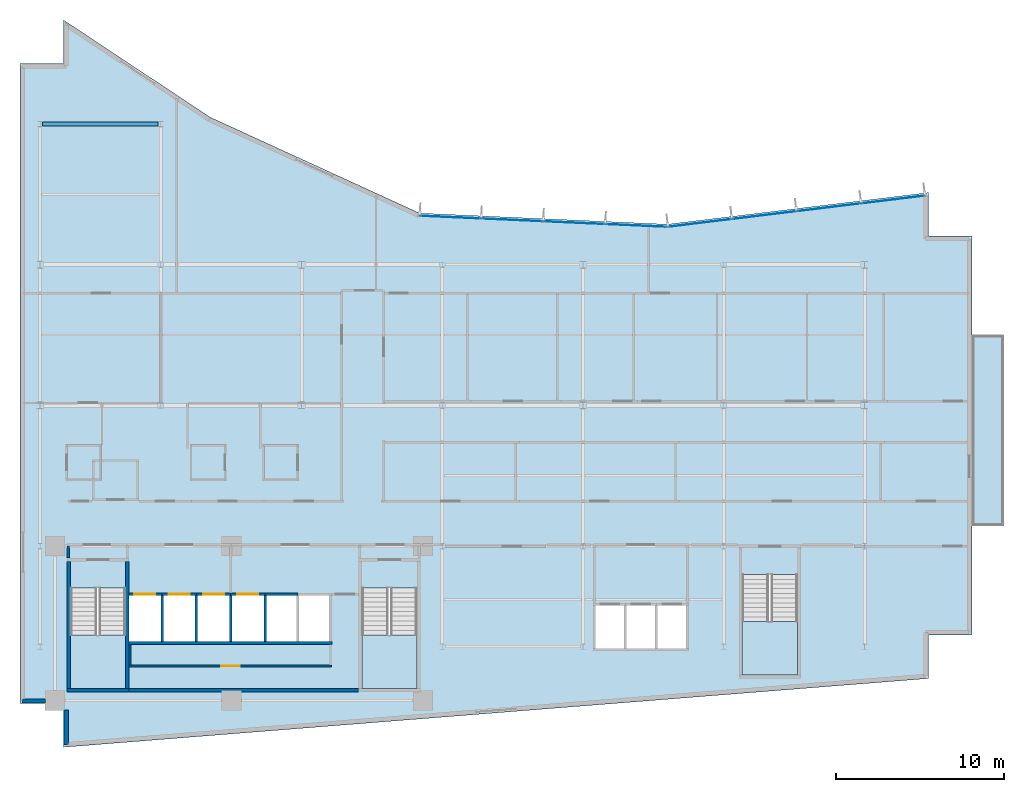
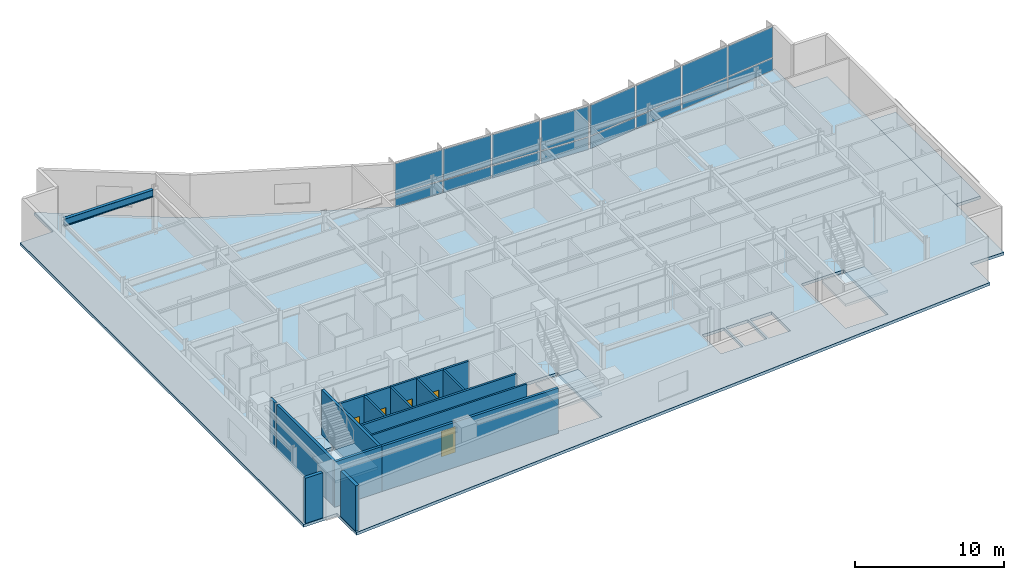
# One storey, part 9 of 18: 19 walls, 16 plates, 5 doors, 5 slabs, 1 beam, 5 openings, 5 elements without a shape of their own.
"""IFC4 building model written with IfcOpenShell, lengths in metres."""

from ifc_helpers import new_model, si_unit, direction, frame, frame_2d, origin, origin_2d, place, context, subcontext, project, spatial, polyline, rectangle, i_section, outline, extrude, material, layer, layer_set, material_profile, profile_set, type_object, element, fill, aggregate, save


model = new_model("IFC4")

# Units and contexts
model_context = context("Model", 3, precision=1e-05, world=origin(), true_north=direction((0.0, 1.0)))
body_context = subcontext(model_context, "Body", "Model", "MODEL_VIEW")
ifc_project = project(units=[si_unit("LENGTHUNIT", "METRE"), si_unit("AREAUNIT", "SQUARE_METRE"), si_unit("VOLUMEUNIT", "CUBIC_METRE"), si_unit("PLANEANGLEUNIT", "RADIAN"), si_unit("MASSUNIT", "GRAM", prefix="KILO")], contexts=[model_context])

# Site, building, storey
site_placement = place(None, origin())
site = spatial("IfcSite", under=ifc_project, at=site_placement, CompositionType="ELEMENT")
building_placement = place(site_placement, origin())
building = spatial("IfcBuilding", under=site, at=building_placement, Name="Varnakote Quay Hospital", CompositionType="ELEMENT")
storey_placement = place(building_placement, frame((0.0, 0.0, 154.699951171875)))
storey = spatial("IfcBuildingStorey", under=building, at=storey_placement, Name="L38", CompositionType="ELEMENT", Elevation=154.699951171875)

# Beam
ifc_material_1 = material(Name="Structural steel AS/NZS 3679.1 Grade 350 L0 (fy 340 MPa)", Category="steel")
ifc_material_profile = material_profile(ifc_material_1, i_section(OverallWidth=0.22802734375, OverallDepth=0.60205078125, WebThickness=0.010498046875, FlangeThickness=0.014892578125, FilletRadius=0.013916015625, at=origin_2d()), Name="610UB101")
ifc_profile_set = profile_set([ifc_material_profile], Name="Structural steel AS/NZS 3679.1 Grade 350 L0 (fy 340 MPa)")
beam_type = type_object("IfcBeamType", Name="BM-STL-610UB101", PredefinedType="BEAM", material=ifc_profile_set)
beam_placement = place(storey_placement, frame((1.353515625, 37.199951171875, 3.408935546875), z_axis=(1.0, 0.0, 0.0), x_axis=(0.0, 1.0, 0.0)))
element("IfcBeam", 1, at=beam_placement, inside=storey, type_object=beam_type, Name="L38 Primary Floor Beam", PredefinedType="BEAM", context=body_context, shape_type="SweptSolid", body=[
    extrude(i_section(OverallWidth=0.22802734375, OverallDepth=0.60205078125, WebThickness=0.010498046875, FlangeThickness=0.014892578125, FilletRadius=0.013916015625, at=origin_2d()), origin(), (0.0, 0.0, 1.0), 6.89306640625),
])

# Curtain wall, plates
ifc_material_2 = material(Name="Anodised aluminium 6063-T6 Bronze", Category="aluminium")
ifc_layer_1 = layer(ifc_material_2, 0.205078125)
ifc_layer_set_1 = layer_set([ifc_layer_1], Name="Anodised aluminium 6063-T6 Bronze")
curtain_wall_type = type_object("IfcCurtainWallType", Name="CW-SYS-3", PredefinedType="NOTDEFINED", material=ifc_layer_set_1)
curtain_wall_1_placement = place(storey_placement, origin())
curtain_wall_1 = element("IfcCurtainWall", 2, at=curtain_wall_1_placement, inside=storey, type_object=curtain_wall_type, Name="L38 Unitised Bronze Curtain Wall 1", PredefinedType="NOTDEFINED")
ifc_material_3 = material(Name="Double-glazed low-E solar glass", Category="glass")
ifc_layer_2 = layer(ifc_material_3, 0.028076171875)
ifc_layer_set_2 = layer_set([ifc_layer_2], Name="Double-glazed low-E solar glass")
plate_type = type_object("IfcPlateType", Name="CW-PNL-GLZ-28", PredefinedType="CURTAIN_PANEL", material=ifc_layer_set_2)
plate_1_placement = place(storey_placement, frame((52.09521484375, 32.68359375, 0.0751953125), z_axis=(0.0, 0.0, 1.0), x_axis=(-0.992734295067, -0.12032713492, 0.0)))
plate_1 = element("IfcPlate", 3, at=plate_1_placement, type_object=plate_type, Name="-3-L38-1 panel 1.1", PredefinedType="CURTAIN_PANEL", context=body_context, shape_type="SweptSolid", body=[
    extrude(rectangle(XDim=3.76806640625, YDim=0.028076171875, at=origin_2d()), origin(), (0.0, 0.0, 1.0), 0.987548828125),
])
plate_2_placement = place(storey_placement, frame((52.09521484375, 32.68359375, 1.137451171875), z_axis=(0.0, 0.0, 1.0), x_axis=(-0.992734295067, -0.12032713492, 0.0)))
plate_2 = element("IfcPlate", 4, at=plate_2_placement, type_object=plate_type, Name="-3-L38-1 panel 1.2", PredefinedType="CURTAIN_PANEL", context=body_context, shape_type="SweptSolid", body=[
    extrude(rectangle(XDim=3.76806640625, YDim=0.028076171875, at=origin_2d()), origin(), (0.0, 0.0, 1.0), 2.49755859375),
])
plate_3_placement = place(storey_placement, frame((48.26123046875, 32.218994140625, 0.0751953125), z_axis=(0.0, 0.0, 1.0), x_axis=(-0.992734295067, -0.12032713492, 0.0)))
plate_3 = element("IfcPlate", 5, at=plate_3_placement, type_object=plate_type, Name="-3-L38-1 panel 2.1", PredefinedType="CURTAIN_PANEL", context=body_context, shape_type="SweptSolid", body=[
    extrude(rectangle(XDim=3.8056640625, YDim=0.028076171875, at=origin_2d()), origin(), (0.0, 0.0, 1.0), 0.987548828125),
])
plate_4_placement = place(storey_placement, frame((48.26123046875, 32.218994140625, 1.137451171875), z_axis=(0.0, 0.0, 1.0), x_axis=(-0.992734295067, -0.12032713492, 0.0)))
plate_4 = element("IfcPlate", 6, at=plate_4_placement, type_object=plate_type, Name="-3-L38-1 panel 2.2", PredefinedType="CURTAIN_PANEL", context=body_context, shape_type="SweptSolid", body=[
    extrude(rectangle(XDim=3.8056640625, YDim=0.028076171875, at=origin_2d()), origin(), (0.0, 0.0, 1.0), 2.49755859375),
])
plate_5_placement = place(storey_placement, frame((44.40869140625, 31.751953125, 0.0751953125), z_axis=(0.0, 0.0, 1.0), x_axis=(-0.992734295067, -0.12032713492, 0.0)))
plate_5 = element("IfcPlate", 7, at=plate_5_placement, type_object=plate_type, Name="-3-L38-1 panel 3.1", PredefinedType="CURTAIN_PANEL", context=body_context, shape_type="SweptSolid", body=[
    extrude(rectangle(XDim=3.8056640625, YDim=0.028076171875, at=origin_2d()), origin(), (0.0, 0.0, 1.0), 0.987548828125),
])
plate_6_placement = place(storey_placement, frame((44.40869140625, 31.751953125, 1.137451171875), z_axis=(0.0, 0.0, 1.0), x_axis=(-0.992734295067, -0.12032713492, 0.0)))
plate_6 = element("IfcPlate", 8, at=plate_6_placement, type_object=plate_type, Name="-3-L38-1 panel 3.2", PredefinedType="CURTAIN_PANEL", context=body_context, shape_type="SweptSolid", body=[
    extrude(rectangle(XDim=3.8056640625, YDim=0.028076171875, at=origin_2d()), origin(), (0.0, 0.0, 1.0), 2.49755859375),
])
plate_7_placement = place(storey_placement, frame((40.574951171875, 31.287353515625, 0.0751953125), z_axis=(0.0, 0.0, 1.0), x_axis=(-0.992734295067, -0.12032713492, 0.0)))
plate_7 = element("IfcPlate", 9, at=plate_7_placement, type_object=plate_type, Name="-3-L38-1 panel 4.1", PredefinedType="CURTAIN_PANEL", context=body_context, shape_type="SweptSolid", body=[
    extrude(rectangle(XDim=3.76806640625, YDim=0.028076171875, at=origin_2d()), origin(), (0.0, 0.0, 1.0), 0.987548828125),
])
plate_8_placement = place(storey_placement, frame((40.574951171875, 31.287353515625, 1.137451171875), z_axis=(0.0, 0.0, 1.0), x_axis=(-0.992734295067, -0.12032713492, 0.0)))
plate_8 = element("IfcPlate", 10, at=plate_8_placement, type_object=plate_type, Name="-3-L38-1 panel 4.2", PredefinedType="CURTAIN_PANEL", context=body_context, shape_type="SweptSolid", body=[
    extrude(rectangle(XDim=3.76806640625, YDim=0.028076171875, at=origin_2d()), origin(), (0.0, 0.0, 1.0), 2.49755859375),
])
aggregate(curtain_wall_1, [plate_1, plate_2, plate_3, plate_4, plate_5, plate_6, plate_7, plate_8])

curtain_wall_2_placement = place(storey_placement, origin())
curtain_wall_2 = element("IfcCurtainWall", 11, at=curtain_wall_2_placement, inside=storey, type_object=curtain_wall_type, Name="L38 Unitised Bronze Curtain Wall 2", PredefinedType="NOTDEFINED")
plate_9_placement = place(storey_placement, frame((36.759765625, 31.135498046875, 0.0751953125), z_axis=(0.0, 0.0, 1.0), x_axis=(-0.998996768014, 0.044782334659, 0.0)))
plate_9 = element("IfcPlate", 12, at=plate_9_placement, type_object=plate_type, Name="-3-L38-2 panel 1.1", PredefinedType="CURTAIN_PANEL", context=body_context, shape_type="SweptSolid", body=[
    extrude(rectangle(XDim=3.59423828125, YDim=0.028076171875, at=origin_2d()), origin(), (0.0, 0.0, 1.0), 0.987548828125),
])
plate_10_placement = place(storey_placement, frame((36.759765625, 31.135498046875, 1.137451171875), z_axis=(0.0, 0.0, 1.0), x_axis=(-0.998996768014, 0.044782334659, 0.0)))
plate_10 = element("IfcPlate", 13, at=plate_10_placement, type_object=plate_type, Name="-3-L38-2 panel 1.2", PredefinedType="CURTAIN_PANEL", context=body_context, shape_type="SweptSolid", body=[
    extrude(rectangle(XDim=3.59423828125, YDim=0.028076171875, at=origin_2d()), origin(), (0.0, 0.0, 1.0), 2.49755859375),
])
plate_11_placement = place(storey_placement, frame((33.075439453125, 31.300537109375, 0.0751953125), z_axis=(0.0, 0.0, 1.0), x_axis=(-0.998996768014, 0.044782334659, 0.0)))
plate_11 = element("IfcPlate", 14, at=plate_11_placement, type_object=plate_type, Name="-3-L38-2 panel 2.1", PredefinedType="CURTAIN_PANEL", context=body_context, shape_type="SweptSolid", body=[
    extrude(rectangle(XDim=3.6318359375, YDim=0.028076171875, at=origin_2d()), origin(), (0.0, 0.0, 1.0), 0.987548828125),
])
plate_12_placement = place(storey_placement, frame((33.075439453125, 31.300537109375, 1.137451171875), z_axis=(0.0, 0.0, 1.0), x_axis=(-0.998996768014, 0.044782334659, 0.0)))
plate_12 = element("IfcPlate", 15, at=plate_12_placement, type_object=plate_type, Name="-3-L38-2 panel 2.2", PredefinedType="CURTAIN_PANEL", context=body_context, shape_type="SweptSolid", body=[
    extrude(rectangle(XDim=3.6318359375, YDim=0.028076171875, at=origin_2d()), origin(), (0.0, 0.0, 1.0), 2.49755859375),
])
plate_13_placement = place(storey_placement, frame((29.372314453125, 31.466552734375, 0.0751953125), z_axis=(0.0, 0.0, 1.0), x_axis=(-0.998996768014, 0.044782334659, 0.0)))
plate_13 = element("IfcPlate", 16, at=plate_13_placement, type_object=plate_type, Name="-3-L38-2 panel 3.1", PredefinedType="CURTAIN_PANEL", context=body_context, shape_type="SweptSolid", body=[
    extrude(rectangle(XDim=3.6318359375, YDim=0.028076171875, at=origin_2d()), origin(), (0.0, 0.0, 1.0), 0.987548828125),
])
plate_14_placement = place(storey_placement, frame((29.372314453125, 31.466552734375, 1.137451171875), z_axis=(0.0, 0.0, 1.0), x_axis=(-0.998996768014, 0.044782334659, 0.0)))
plate_14 = element("IfcPlate", 17, at=plate_14_placement, type_object=plate_type, Name="-3-L38-2 panel 3.2", PredefinedType="CURTAIN_PANEL", context=body_context, shape_type="SweptSolid", body=[
    extrude(rectangle(XDim=3.6318359375, YDim=0.028076171875, at=origin_2d()), origin(), (0.0, 0.0, 1.0), 2.49755859375),
])
plate_15_placement = place(storey_placement, frame((25.68798828125, 31.6318359375, 0.0751953125), z_axis=(0.0, 0.0, 1.0), x_axis=(-0.998996768014, 0.044782334659, 0.0)))
plate_15 = element("IfcPlate", 18, at=plate_15_placement, type_object=plate_type, Name="-3-L38-2 panel 4.1", PredefinedType="CURTAIN_PANEL", context=body_context, shape_type="SweptSolid", body=[
    extrude(rectangle(XDim=3.59423828125, YDim=0.028076171875, at=origin_2d()), origin(), (0.0, 0.0, 1.0), 0.987548828125),
])
plate_16_placement = place(storey_placement, frame((25.68798828125, 31.6318359375, 1.137451171875), z_axis=(0.0, 0.0, 1.0), x_axis=(-0.998996768014, 0.044782334659, 0.0)))
plate_16 = element("IfcPlate", 19, at=plate_16_placement, type_object=plate_type, Name="-3-L38-2 panel 4.2", PredefinedType="CURTAIN_PANEL", context=body_context, shape_type="SweptSolid", body=[
    extrude(rectangle(XDim=3.59423828125, YDim=0.028076171875, at=origin_2d()), origin(), (0.0, 0.0, 1.0), 2.49755859375),
])
aggregate(curtain_wall_2, [plate_9, plate_10, plate_11, plate_12, plate_13, plate_14, plate_15, plate_16])

# Stair, slab
ifc_material_4 = material(Name="Concrete N40 (f'c 40 MPa)", Category="concrete")
stair_type = type_object("IfcStairType", Name="STR-CORE-1580", PredefinedType="HALF_TURN_STAIR", material=ifc_material_4)
stair_1_placement = place(storey_placement, origin())
stair_1 = element("IfcStair", 20, at=stair_1_placement, inside=storey, type_object=stair_type, Name="L38 Fire-Isolated Exit Stair ST-01", PredefinedType="HALF_TURN_STAIR")
ifc_material_5 = material(Name="Concrete N40 (f'c 40 MPa)", Category="concrete")
ifc_layer_3 = layer(ifc_material_5, 0.199951171875)
ifc_layer_set_3 = layer_set([ifc_layer_3], Name="Concrete N40 (f'c 40 MPa)")
slab_type_1 = type_object("IfcSlabType", Name="SLB-STAIR-LND-200", PredefinedType="LANDING", material=ifc_layer_set_3)
slab_1_placement = place(storey_placement, frame((0.0, 0.0, 1.775146484375)))
slab_1 = element("IfcSlab", 21, at=slab_1_placement, type_object=slab_type_1, Name="ST-01 landing 1", PredefinedType="LANDING", context=body_context, shape_type="SweptSolid", body=[
    extrude(outline(polyline([(3.0, 6.699951171875), (3.0, 3.5), (6.300048828125, 3.5), (6.300048828125, 6.699951171875), (3.0, 6.699951171875)])), origin(), (0.0, 0.0, 1.0), 0.199951171875),
])
aggregate(stair_1, [slab_1])

stair_2_placement = place(storey_placement, origin())
stair_2 = element("IfcStair", 22, at=stair_2_placement, inside=storey, type_object=stair_type, Name="L38 Fire-Isolated Exit Stair ST-02", PredefinedType="HALF_TURN_STAIR")
slab_2_placement = place(storey_placement, frame((0.0, 0.0, 1.775146484375)))
slab_2 = element("IfcSlab", 23, at=slab_2_placement, type_object=slab_type_1, Name="ST-02 landing 1", PredefinedType="LANDING", context=body_context, shape_type="SweptSolid", body=[
    extrude(outline(polyline([(20.39990234375, 6.699951171875), (20.39990234375, 3.5), (23.699951171875, 3.5), (23.699951171875, 6.699951171875), (20.39990234375, 6.699951171875)])), origin(), (0.0, 0.0, 1.0), 0.199951171875),
])
aggregate(stair_2, [slab_2])

stair_3_placement = place(storey_placement, origin())
stair_3 = element("IfcStair", 24, at=stair_3_placement, inside=storey, type_object=stair_type, Name="L38 Fire-Isolated Exit Stair ST-03", PredefinedType="HALF_TURN_STAIR")
slab_3_placement = place(storey_placement, frame((0.0, 0.0, 1.775146484375)))
slab_3 = element("IfcSlab", 25, at=slab_3_placement, type_object=slab_type_1, Name="ST-03 landing 1", PredefinedType="LANDING", context=body_context, shape_type="SweptSolid", body=[
    extrude(outline(polyline([(43.10009765625, 7.5), (43.10009765625, 4.300048828125), (46.39990234375, 4.300048828125), (46.39990234375, 7.5), (43.10009765625, 7.5)])), origin(), (0.0, 0.0, 1.0), 0.199951171875),
])
aggregate(stair_3, [slab_3])

# Slabs
ifc_material_6 = material(Name="Concrete N50 (f'c 50 MPa)", Category="concrete")
ifc_layer_4 = layer(ifc_material_6, 0.239990234375)
ifc_layer_set_4 = layer_set([ifc_layer_4], Name="Concrete N50 (f'c 50 MPa)")
slab_type_2 = type_object("IfcSlabType", Name="SLB-TERR-200", PredefinedType="FLOOR", material=ifc_layer_set_4)
slab_4_placement = place(storey_placement, frame((0.0, 0.0, -0.239990234375)))
element("IfcSlab", 26, at=slab_4_placement, inside=storey, type_object=slab_type_2, Name="L38 Waterfront Healing Terrace Slab", PredefinedType="FLOOR", context=body_context, shape_type="SweptSolid", body=[
    extrude(outline(polyline([(56.7958984375, 13.199951171875), (58.719970703125, 13.199951171875), (58.719970703125, 24.60009765625), (56.7958984375, 24.60009765625), (56.7958984375, 13.199951171875)])), origin(), (0.0, 0.0, 1.0), 0.239990234375),
])
ifc_material_7 = material(Name="Concrete N50 (f'c 50 MPa)", Category="concrete")
ifc_layer_5 = layer(ifc_material_7, 0.239990234375)
ifc_layer_set_5 = layer_set([ifc_layer_5], Name="Concrete N50 (f'c 50 MPa)")
slab_type_3 = type_object("IfcSlabType", Name="SLB-WARD-200", PredefinedType="FLOOR", material=ifc_layer_set_5)
slab_5_placement = place(storey_placement, frame((0.0, 0.0, -0.239990234375)))
element("IfcSlab", 27, at=slab_5_placement, inside=storey, type_object=slab_type_3, Name="L38 Primary Floor Slab", PredefinedType="FLOOR", context=body_context, shape_type="SweptSolid", body=[
    extrude(outline(polyline([(0.0, 2.60009765625), (2.60009765625, 2.60009765625), (2.60009765625, 0.0), (54.199951171875, 4.10009765625), (54.199951171875, 6.699951171875), (56.800048828125, 6.699951171875), (56.800048828125, 30.5), (54.199951171875, 30.5), (54.199951171875, 33.10009765625), (38.6240234375, 31.2119140625), (23.85595703125, 31.8740234375), (11.360107421875, 37.595947265625), (2.60009765625, 43.39990234375), (2.60009765625, 40.800048828125), (0.0, 40.800048828125), (0.0, 2.60009765625)]), holes=[polyline([(3.0, 3.5), (6.300048828125, 3.5), (6.300048828125, 9.49951171875), (3.0, 9.49951171875), (3.0, 3.5)]), polyline([(20.39990234375, 3.5), (23.699951171875, 3.5), (23.699951171875, 9.49951171875), (20.39990234375, 9.49951171875), (20.39990234375, 3.5)]), polyline([(43.10009765625, 4.300048828125), (46.39990234375, 4.300048828125), (46.39990234375, 10.29931640625), (43.10009765625, 10.29931640625), (43.10009765625, 4.300048828125)]), polyline([(6.5, 6.300048828125), (8.39990234375, 6.300048828125), (8.39990234375, 9.050048828125), (6.5, 9.050048828125), (6.5, 6.300048828125)]), polyline([(8.550048828125, 6.300048828125), (10.449951171875, 6.300048828125), (10.449951171875, 9.050048828125), (8.550048828125, 9.050048828125), (8.550048828125, 6.300048828125)]), polyline([(10.60009765625, 6.300048828125), (12.5, 6.300048828125), (12.5, 9.050048828125), (10.60009765625, 9.050048828125), (10.60009765625, 6.300048828125)]), polyline([(12.64990234375, 6.300048828125), (14.550048828125, 6.300048828125), (14.550048828125, 9.050048828125), (12.64990234375, 9.050048828125), (12.64990234375, 6.300048828125)]), polyline([(14.699951171875, 6.300048828125), (16.5, 6.300048828125), (16.5, 9.050048828125), (14.699951171875, 9.050048828125), (14.699951171875, 6.300048828125)]), polyline([(16.64990234375, 6.300048828125), (18.449951171875, 6.300048828125), (18.449951171875, 9.050048828125), (16.64990234375, 9.050048828125), (16.64990234375, 6.300048828125)]), polyline([(34.35009765625, 5.89990234375), (36.050048828125, 5.89990234375), (36.050048828125, 8.449951171875), (34.35009765625, 8.449951171875), (34.35009765625, 5.89990234375)]), polyline([(36.199951171875, 5.89990234375), (37.89990234375, 5.89990234375), (37.89990234375, 8.449951171875), (36.199951171875, 8.449951171875), (36.199951171875, 5.89990234375)]), polyline([(38.050048828125, 5.89990234375), (39.75, 5.89990234375), (39.75, 8.449951171875), (38.050048828125, 8.449951171875), (38.050048828125, 5.89990234375)])]), origin(), (0.0, 0.0, 1.0), 0.239990234375),
])

# Walls
ifc_material_8 = material(Name="Fire-rated acoustic gypsum stud wall", Category="gypsum")
ifc_layer_6 = layer(ifc_material_8, 0.159912109375)
ifc_layer_set_6 = layer_set([ifc_layer_6], Name="Fire-rated acoustic gypsum stud wall")
wall_type_1 = type_object("IfcWallType", Name="WL-COMP-160", PredefinedType="PARTITIONING", material=ifc_layer_set_6)
wall_1_placement = place(storey_placement, frame((2.8798828125, 11.300048828125, 0.0), z_axis=(0.0, 0.0, 1.0), x_axis=(0.0, 1.0, 0.0)))
element("IfcWall", 28, at=wall_1_placement, inside=storey, type_object=wall_type_1, Name="L38 West Stair Vestibule West Wall", PredefinedType="PARTITIONING", context=body_context, shape_type="SweptSolid", body=[
    extrude(rectangle(XDim=0.699951171875, YDim=0.159912109375, at=frame_2d((0.35009765625, 0.0))), origin(), (0.0, 0.0, 1.0), 3.7099609375),
])
ifc_material_9 = material(Name="Concrete N65 (f'c 65 MPa)", Category="concrete")
ifc_layer_7 = layer(ifc_material_9, 0.199951171875)
ifc_layer_set_7 = layer_set([ifc_layer_7], Name="Concrete N65 (f'c 65 MPa)")
wall_type_2 = type_object("IfcWallType", Name="WL-CORE-N65-200", PredefinedType="SHEAR", material=ifc_layer_set_7)
wall_2_placement = place(storey_placement, frame((6.5, 3.39990234375, 0.0), z_axis=(0.0, 0.0, 1.0), x_axis=(1.0, 0.0, 0.0)))
element("IfcWall", 29, at=wall_2_placement, inside=storey, type_object=wall_type_2, Name="L38 Rear Core South Shear Wall", PredefinedType="SHEAR", context=body_context, shape_type="SweptSolid", body=[
    extrude(rectangle(XDim=13.699951171875, YDim=0.199951171875, at=frame_2d((6.85009765625, 0.0))), origin(), (0.0, 0.0, 1.0), 3.7099609375),
])
ifc_material_10 = material(Name="Precast concrete N50 (f'c 50 MPa)", Category="concrete")
ifc_layer_8 = layer(ifc_material_10, 0.260009765625)
ifc_layer_set_8 = layer_set([ifc_layer_8], Name="Precast concrete N50 (f'c 50 MPa)")
wall_type_3 = type_object("IfcWallType", Name="WL-EXT-BRICK-260", PredefinedType="STANDARD", material=ifc_layer_set_8)
wall_3_placement = place(storey_placement, frame((2.760009765625, 2.215087890625, 0.0), z_axis=(0.0, 0.0, 1.0), x_axis=(0.0, -1.0, 0.0)))
element("IfcWall", 30, at=wall_3_placement, inside=storey, type_object=wall_type_3, Name="L38 Brick-Faced Precast Exterior Wall", PredefinedType="STANDARD", context=body_context, shape_type="SweptSolid", body=[
    extrude(rectangle(XDim=2.0419921875, YDim=0.260009765625, at=frame_2d((1.02099609375, 0.0))), origin(), (0.0, 0.0, 1.0), 3.7099609375),
])
wall_4_placement = place(storey_placement, frame((0.159912109375, 2.760009765625, 0.0), z_axis=(0.0, 0.0, 1.0), x_axis=(1.0, 0.0, 0.0)))
element("IfcWall", 31, at=wall_4_placement, inside=storey, type_object=wall_type_3, Name="L38 Brick-Faced Precast Exterior Wall", PredefinedType="STANDARD", context=body_context, shape_type="SweptSolid", body=[
    extrude(rectangle(XDim=1.35498046875, YDim=0.260009765625, at=frame_2d((0.677490234375, 0.0))), origin(), (0.0, 0.0, 1.0), 3.7099609375),
])
ifc_material_11 = material(Name="Concrete N50 (f'c 50 MPa)", Category="concrete")
ifc_layer_9 = layer(ifc_material_11, 0.14990234375)
ifc_layer_set_9 = layer_set([ifc_layer_9], Name="Concrete N50 (f'c 50 MPa)")
wall_type_4 = type_object("IfcWallType", Name="WL-SHAFT-N50-150", PredefinedType="SHEAR", material=ifc_layer_set_9)
for number, where, z_axis, x_axis, name in (
    (32, (8.47509765625, 6.300048828125, 0.0), (0.0, 0.0, 1.0), (0.0, 1.0, 0.0), "L38 LF-FF1 Hoistway Divider Wall"),
    (33, (10.52490234375, 6.300048828125, 0.0), (0.0, 0.0, 1.0), (0.0, 1.0, 0.0), "L38 LF-FF2 Hoistway Divider Wall"),
    (34, (12.574951171875, 6.300048828125, 0.0), (0.0, 0.0, 1.0), (0.0, 1.0, 0.0), "L38 LF-SV1 Hoistway Divider Wall"),
    (35, (14.625, 6.300048828125, 0.0), (0.0, 0.0, 1.0), (0.0, 1.0, 0.0), "L38 LF-SV2 Hoistway Divider Wall"),
):
    element("IfcWall", number, at=place(storey_placement, frame(where, z_axis=z_axis, x_axis=x_axis)), inside=storey, type_object=wall_type_4, Name=name, PredefinedType="SHEAR", context=body_context, shape_type="SweptSolid", body=[
        extrude(rectangle(XDim=2.75, YDim=0.14990234375, at=frame_2d((1.375, 0.0))), origin(), (0.0, 0.0, 1.0), 3.7099609375),
    ])
ifc_material_12 = material(Name="Concrete N50 (f'c 50 MPa)", Category="concrete")
ifc_layer_10 = layer(ifc_material_12, 0.159912109375)
ifc_layer_set_10 = layer_set([ifc_layer_10], Name="Concrete N50 (f'c 50 MPa)")
wall_type_5 = type_object("IfcWallType", Name="WL-SHAFT-N50-160", PredefinedType="SHEAR", material=ifc_layer_set_10)
wall_5_placement = place(storey_placement, frame((6.5, 6.219970703125, 0.0), z_axis=(0.0, 0.0, 1.0), x_axis=(1.0, 0.0, 0.0)))
element("IfcWall", 36, at=wall_5_placement, inside=storey, type_object=wall_type_5, Name="L38 REAR Lift Bank Back Shear Wall", PredefinedType="SHEAR", context=body_context, shape_type="SweptSolid", body=[
    extrude(rectangle(XDim=12.110107421875, YDim=0.159912109375, at=frame_2d((6.05517578125, 0.0))), origin(), (0.0, 0.0, 1.0), 3.7099609375),
])

# Wall, opening, door
wall_6_placement = place(storey_placement, frame((6.5, 9.1298828125, 0.0), z_axis=(0.0, 0.0, 1.0), x_axis=(1.0, 0.0, 0.0)))
wall_6 = element("IfcWall", 37, at=wall_6_placement, inside=storey, type_object=wall_type_5, Name="L38 LF-FF1 Hoistway Front Wall", PredefinedType="SHEAR", context=body_context, shape_type="SweptSolid", body=[
    extrude(rectangle(XDim=1.97509765625, YDim=0.159912109375, at=frame_2d((0.987548828125, 0.0))), origin(), (0.0, 0.0, 1.0), 3.7099609375),
])
opening_1_placement = place(wall_6_placement, frame((0.324951171875, 0.0, 0.0)))
opening_1 = element("IfcOpeningElement", 38, at=opening_1_placement, cuts=wall_6, Name="Opening LD-FF1-L38", PredefinedType="OPENING", context=body_context, shape_type="SweptSolid", body=[
    extrude(rectangle(XDim=1.25, YDim=2.14990234375, at=frame_2d((0.625, 1.074951171875))), frame((0.0, 0.08984375, 0.0), z_axis=(0.0, -1.0, 0.0), x_axis=(1.0, 0.0, 0.0)), (0.0, 0.0, 1.0), 0.179931640625),
])
ifc_material_13 = material(Name="Stainless steel lift landing sliding door", Category="steel")
door_type_1 = type_object("IfcDoorType", Name="DR-LIFT-LD-1250x2150", OperationType="NOTDEFINED", PredefinedType="DOOR", material=ifc_material_13)
door_1_placement = place(opening_1_placement, origin())
door_1 = element("IfcDoor", 39, at=door_1_placement, inside=storey, type_object=door_type_1, Name="L38 LF-FF1 Lift Landing Sliding Door", OperationType="SLIDING_TO_LEFT", OverallHeight=2.14990234375, OverallWidth=1.25, PredefinedType="DOOR", context=body_context, shape_type="SweptSolid", body=[
    extrude(rectangle(XDim=1.25, YDim=2.14990234375, at=frame_2d((0.625, 1.074951171875))), frame((0.0, 0.02490234375, 0.0), z_axis=(0.0, -1.0, 0.0), x_axis=(1.0, 0.0, 0.0)), (0.0, 0.0, 1.0), 0.050048828125),
])
fill(opening_1, door_1)

wall_7_placement = place(storey_placement, frame((8.47509765625, 9.1298828125, 0.0), z_axis=(0.0, 0.0, 1.0), x_axis=(1.0, 0.0, 0.0)))
wall_7 = element("IfcWall", 40, at=wall_7_placement, inside=storey, type_object=wall_type_5, Name="L38 LF-FF2 Hoistway Front Wall", PredefinedType="SHEAR", context=body_context, shape_type="SweptSolid", body=[
    extrude(rectangle(XDim=2.0498046875, YDim=0.159912109375, at=frame_2d((1.02490234375, 0.0))), origin(), (0.0, 0.0, 1.0), 3.7099609375),
])
opening_2_placement = place(wall_7_placement, frame((0.39990234375, 0.0, 0.0)))
opening_2 = element("IfcOpeningElement", 41, at=opening_2_placement, cuts=wall_7, Name="Opening LD-FF2-L38", PredefinedType="OPENING", context=body_context, shape_type="SweptSolid", body=[
    extrude(rectangle(XDim=1.25, YDim=2.14990234375, at=frame_2d((0.625, 1.074951171875))), frame((0.0, 0.08984375, 0.0), z_axis=(0.0, -1.0, 0.0), x_axis=(1.0, 0.0, 0.0)), (0.0, 0.0, 1.0), 0.179931640625),
])
door_2_placement = place(opening_2_placement, origin())
door_2 = element("IfcDoor", 42, at=door_2_placement, inside=storey, type_object=door_type_1, Name="L38 LF-FF2 Lift Landing Sliding Door", OperationType="SLIDING_TO_LEFT", OverallHeight=2.14990234375, OverallWidth=1.25, PredefinedType="DOOR", context=body_context, shape_type="SweptSolid", body=[
    extrude(rectangle(XDim=1.25, YDim=2.14990234375, at=frame_2d((0.625, 1.074951171875))), frame((0.0, 0.02490234375, 0.0), z_axis=(0.0, -1.0, 0.0), x_axis=(1.0, 0.0, 0.0)), (0.0, 0.0, 1.0), 0.050048828125),
])
fill(opening_2, door_2)

wall_8_placement = place(storey_placement, frame((10.52490234375, 9.1298828125, 0.0), z_axis=(0.0, 0.0, 1.0), x_axis=(1.0, 0.0, 0.0)))
wall_8 = element("IfcWall", 43, at=wall_8_placement, inside=storey, type_object=wall_type_5, Name="L38 LF-SV1 Hoistway Front Wall", PredefinedType="SHEAR", context=body_context, shape_type="SweptSolid", body=[
    extrude(rectangle(XDim=2.050048828125, YDim=0.159912109375, at=frame_2d((1.02490234375, 0.0))), origin(), (0.0, 0.0, 1.0), 3.7099609375),
])
opening_3_placement = place(wall_8_placement, frame((0.39990234375, 0.0, 0.0)))
opening_3 = element("IfcOpeningElement", 44, at=opening_3_placement, cuts=wall_8, Name="Opening LD-SV1-L38", PredefinedType="OPENING", context=body_context, shape_type="SweptSolid", body=[
    extrude(rectangle(XDim=1.25, YDim=2.14990234375, at=frame_2d((0.625, 1.074951171875))), frame((0.0, 0.08984375, 0.0), z_axis=(0.0, -1.0, 0.0), x_axis=(1.0, 0.0, 0.0)), (0.0, 0.0, 1.0), 0.179931640625),
])
door_3_placement = place(opening_3_placement, origin())
door_3 = element("IfcDoor", 45, at=door_3_placement, inside=storey, type_object=door_type_1, Name="L38 LF-SV1 Lift Landing Sliding Door", OperationType="SLIDING_TO_LEFT", OverallHeight=2.14990234375, OverallWidth=1.25, PredefinedType="DOOR", context=body_context, shape_type="SweptSolid", body=[
    extrude(rectangle(XDim=1.25, YDim=2.14990234375, at=frame_2d((0.625, 1.074951171875))), frame((0.0, 0.02490234375, 0.0), z_axis=(0.0, -1.0, 0.0), x_axis=(1.0, 0.0, 0.0)), (0.0, 0.0, 1.0), 0.050048828125),
])
fill(opening_3, door_3)

wall_9_placement = place(storey_placement, frame((12.574951171875, 9.1298828125, 0.0), z_axis=(0.0, 0.0, 1.0), x_axis=(1.0, 0.0, 0.0)))
wall_9 = element("IfcWall", 46, at=wall_9_placement, inside=storey, type_object=wall_type_5, Name="L38 LF-SV2 Hoistway Front Wall", PredefinedType="SHEAR", context=body_context, shape_type="SweptSolid", body=[
    extrude(rectangle(XDim=2.050048828125, YDim=0.159912109375, at=frame_2d((1.02490234375, 0.0))), origin(), (0.0, 0.0, 1.0), 3.7099609375),
])
opening_4_placement = place(wall_9_placement, frame((0.39990234375, 0.0, 0.0)))
opening_4 = element("IfcOpeningElement", 47, at=opening_4_placement, cuts=wall_9, Name="Opening LD-SV2-L38", PredefinedType="OPENING", context=body_context, shape_type="SweptSolid", body=[
    extrude(rectangle(XDim=1.25, YDim=2.14990234375, at=frame_2d((0.625, 1.074951171875))), frame((0.0, 0.08984375, 0.0), z_axis=(0.0, -1.0, 0.0), x_axis=(1.0, 0.0, 0.0)), (0.0, 0.0, 1.0), 0.179931640625),
])
door_4_placement = place(opening_4_placement, origin())
door_4 = element("IfcDoor", 48, at=door_4_placement, inside=storey, type_object=door_type_1, Name="L38 LF-SV2 Lift Landing Sliding Door", OperationType="SLIDING_TO_LEFT", OverallHeight=2.14990234375, OverallWidth=1.25, PredefinedType="DOOR", context=body_context, shape_type="SweptSolid", body=[
    extrude(rectangle(XDim=1.25, YDim=2.14990234375, at=frame_2d((0.625, 1.074951171875))), frame((0.0, 0.02490234375, 0.0), z_axis=(0.0, -1.0, 0.0), x_axis=(1.0, 0.0, 0.0)), (0.0, 0.0, 1.0), 0.050048828125),
])
fill(opening_4, door_4)

# Walls
wall_10_placement = place(storey_placement, frame((14.625, 9.1298828125, 0.0), z_axis=(0.0, 0.0, 1.0), x_axis=(1.0, 0.0, 0.0)))
element("IfcWall", 49, at=wall_10_placement, inside=storey, type_object=wall_type_5, Name="L38 LF-PH1 Hoistway Front Wall", PredefinedType="SHEAR", context=body_context, shape_type="SweptSolid", body=[
    extrude(rectangle(XDim=1.949951171875, YDim=0.159912109375, at=frame_2d((0.97509765625, 0.0))), origin(), (0.0, 0.0, 1.0), 3.7099609375),
])
ifc_material_14 = material(Name="Concrete N50 (f'c 50 MPa)", Category="concrete")
ifc_layer_11 = layer(ifc_material_14, 0.199951171875)
ifc_layer_set_11 = layer_set([ifc_layer_11], Name="Concrete N50 (f'c 50 MPa)")
wall_type_6 = type_object("IfcWallType", Name="WL-SHAFT-N50-200", PredefinedType="SHEAR", material=ifc_layer_set_11)
wall_11_placement = place(storey_placement, frame((2.800048828125, 3.39990234375, 0.0), z_axis=(0.0, 0.0, 1.0), x_axis=(1.0, 0.0, 0.0)))
element("IfcWall", 50, at=wall_11_placement, inside=storey, type_object=wall_type_6, Name="L38 Stair ST1 South Shaft Wall", PredefinedType="SHEAR", context=body_context, shape_type="SweptSolid", body=[
    extrude(rectangle(XDim=3.699951171875, YDim=0.199951171875, at=frame_2d((1.85009765625, 0.0))), origin(), (0.0, 0.0, 1.0), 3.7099609375),
])
for number, where, z_axis, x_axis, name in (
    (51, (2.89990234375, 3.5, 0.0), (0.0, 0.0, 1.0), (0.0, 1.0, 0.0), "L38 Stair ST1 West Shaft Wall"),
    (52, (6.39990234375, 3.5, 0.0), (0.0, 0.0, 1.0), (0.0, 1.0, 0.0), "L38 Stair ST1 East Shaft Wall"),
):
    element("IfcWall", number, at=place(storey_placement, frame(where, z_axis=z_axis, x_axis=x_axis)), inside=storey, type_object=wall_type_6, Name=name, PredefinedType="SHEAR", context=body_context, shape_type="SweptSolid", body=[
        extrude(rectangle(XDim=7.60009765625, YDim=0.199951171875, at=frame_2d((3.800048828125, 0.0))), origin(), (0.0, 0.0, 1.0), 3.7099609375),
    ])
ifc_material_15 = material(Name="Smoke-proof clinical partition", Category="gypsum")
ifc_layer_12 = layer(ifc_material_15, 0.1201171875)
ifc_layer_set_12 = layer_set([ifc_layer_12], Name="Smoke-proof clinical partition")
wall_type_7 = type_object("IfcWallType", Name="WL-SMOKE-120", PredefinedType="PARTITIONING", material=ifc_layer_set_12)
wall_12_placement = place(storey_placement, frame((6.56005859375, 4.919921875, 0.0), z_axis=(0.0, 0.0, 1.0), x_axis=(0.0, 1.0, 0.0)))
element("IfcWall", 53, at=wall_12_placement, inside=storey, type_object=wall_type_7, Name="L38 Core Service Strip West Wall", PredefinedType="PARTITIONING", context=body_context, shape_type="SweptSolid", body=[
    extrude(rectangle(XDim=1.219970703125, YDim=0.1201171875, at=frame_2d((0.60986328125, 0.0))), origin(), (0.0, 0.0, 1.0), 3.7099609375),
])

# Wall, opening, door
ifc_material_16 = material(Name="Fire-rated clinical gypsum partition", Category="gypsum")
ifc_layer_13 = layer(ifc_material_16, 0.139892578125)
ifc_layer_set_13 = layer_set([ifc_layer_13], Name="Fire-rated clinical gypsum partition")
wall_type_8 = type_object("IfcWallType", Name="WL-WARD-140", PredefinedType="PARTITIONING", material=ifc_layer_set_13)
wall_13_placement = place(storey_placement, frame((6.5, 4.85009765625, 0.0), z_axis=(0.0, 0.0, 1.0), x_axis=(1.0, 0.0, 0.0)))
wall_13 = element("IfcWall", 54, at=wall_13_placement, inside=storey, type_object=wall_type_8, Name="L38 Core Clean Linen Store South Wall", PredefinedType="PARTITIONING", context=body_context, shape_type="SweptSolid", body=[
    extrude(rectangle(XDim=12.10009765625, YDim=0.139892578125, at=frame_2d((6.050048828125, 0.0))), origin(), (0.0, 0.0, 1.0), 3.7099609375),
])
opening_5_placement = place(wall_13_placement, frame((5.5, 0.0, 0.0)))
opening_5 = element("IfcOpeningElement", 55, at=opening_5_placement, cuts=wall_13, Name="Opening D-L38-CR01", PredefinedType="OPENING", context=body_context, shape_type="SweptSolid", body=[
    extrude(rectangle(XDim=1.10009765625, YDim=2.10009765625, at=frame_2d((0.550048828125, 1.050048828125))), frame((0.0, 0.079833984375, 0.0), z_axis=(0.0, -1.0, 0.0), x_axis=(1.0, 0.0, 0.0)), (0.0, 0.0, 1.0), 0.159912109375),
])
ifc_material_17 = material(Name="Acoustic timber clinical consult door", Category="wood")
door_type_2 = type_object("IfcDoorType", Name="DR-CLIN-FD30S-1100x2100", OperationType="NOTDEFINED", PredefinedType="DOOR", material=ifc_material_17)
door_5_placement = place(opening_5_placement, origin())
door_5 = element("IfcDoor", 56, at=door_5_placement, inside=storey, type_object=door_type_2, Name="L38 Core Clean Linen Store Door", OperationType="SINGLE_SWING_LEFT", OverallHeight=2.10009765625, OverallWidth=1.10009765625, PredefinedType="DOOR", context=body_context, shape_type="SweptSolid", body=[
    extrude(rectangle(XDim=1.10009765625, YDim=2.10009765625, at=frame_2d((0.550048828125, 1.050048828125))), frame((0.0, 0.02490234375, 0.0), z_axis=(0.0, -1.0, 0.0), x_axis=(1.0, 0.0, 0.0)), (0.0, 0.0, 1.0), 0.050048828125),
])
fill(opening_5, door_5)

save(model, "model.ifc")
